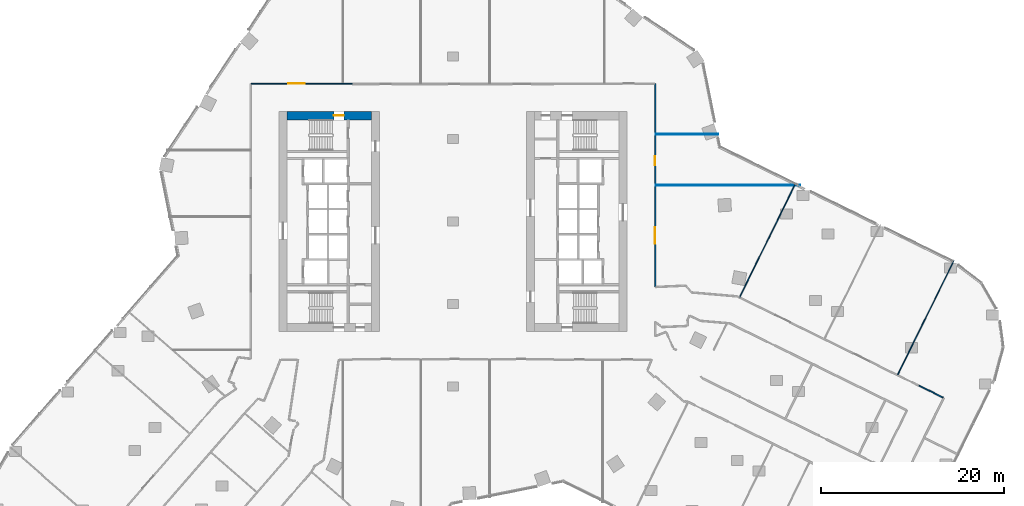
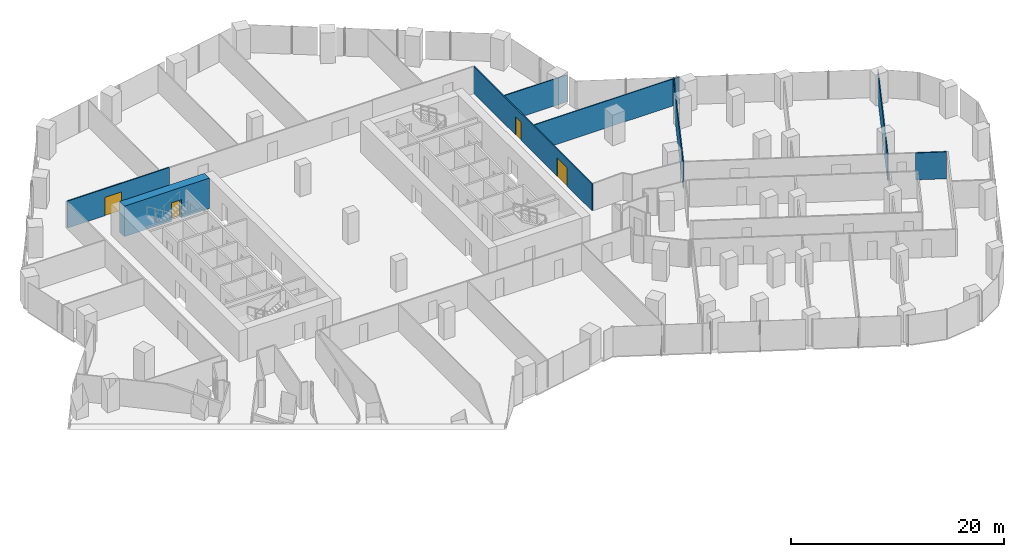
# One storey, part 31 of 38: 8 walls, 4 doors, 4 openings.
"""IFC4 building model written with IfcOpenShell, lengths in metres."""

from ifc_helpers import new_model, si_unit, direction, frame, frame_2d, origin, place, context, subcontext, project, spatial, rectangle, extrude, material, layer, layer_set, type_object, element, fill, save


model = new_model("IFC4")

# Units and contexts
model_context = context("Model", 3, precision=1e-05, world=origin(), true_north=direction((0.0, 1.0)))
body_context = subcontext(model_context, "Body", "Model", "MODEL_VIEW")
ifc_project = project(units=[si_unit("LENGTHUNIT", "METRE"), si_unit("AREAUNIT", "SQUARE_METRE"), si_unit("VOLUMEUNIT", "CUBIC_METRE"), si_unit("PLANEANGLEUNIT", "RADIAN"), si_unit("MASSUNIT", "GRAM", prefix="KILO")], contexts=[model_context])

# Site, building, storey
site_placement = place(None, origin())
site = spatial("IfcSite", under=ifc_project, at=site_placement, CompositionType="ELEMENT")
building_placement = place(site_placement, origin())
building = spatial("IfcBuilding", under=site, at=building_placement, Name="Orlundy Tower", CompositionType="ELEMENT")
storey_placement = place(building_placement, frame((0.0, 0.0, 65.800048828125)))
storey = spatial("IfcBuildingStorey", under=building, at=storey_placement, Name="L15", CompositionType="ELEMENT", Elevation=65.800048828125)

# Wall, opening, door
ifc_material_1 = material(Name="Concrete C80/95", Category="concrete")
ifc_layer_1 = layer(ifc_material_1, 0.89990234375)
ifc_layer_set_1 = layer_set([ifc_layer_1], Name="CORE WALL 900 C80/95")
wall_type_1 = type_object("IfcWallType", Name="CORE WALL 900 C80/95", PredefinedType="SHEAR", material=ifc_layer_set_1)
wall_1_placement = place(storey_placement, frame((-18.10009765625, 11.550048828125, 0.0), z_axis=(0.0, 0.0, 1.0), x_axis=(1.0, 0.0, 0.0)))
wall_1 = element("IfcWall", 1, at=wall_1_placement, inside=storey, type_object=wall_type_1, Name="Core wall W-N L15", PredefinedType="SHEAR", context=body_context, shape_type="SweptSolid", body=[
    extrude(rectangle(XDim=9.2001953125, YDim=0.89990234375, at=frame_2d((4.60009765625, 0.0))), origin(), (0.0, 0.0, 1.0), 3.5),
])
opening_1_placement = place(wall_1_placement, frame((5.10009765625, 0.0, 0.0)))
opening_1 = element("IfcOpeningElement", 2, at=opening_1_placement, cuts=wall_1, Name="Opening 13012", PredefinedType="OPENING", context=body_context, shape_type="SweptSolid", body=[
    extrude(rectangle(XDim=1.10009765625, YDim=2.10009765625, at=frame_2d((0.550048828125, 1.050048828125))), frame((0.0, 0.4599609375, 0.0), z_axis=(0.0, -1.0, 0.0), x_axis=(1.0, 0.0, 0.0)), (0.0, 0.0, 1.0), 0.919921875),
])
ifc_material_2 = material(Name="Steel door set", Category="steel")
door_type_1 = type_object("IfcDoorType", Name="Stair Door 1100x2100", OperationType="SINGLE_SWING_LEFT", PredefinedType="DOOR", material=ifc_material_2)
door_1_placement = place(opening_1_placement, origin())
door_1 = element("IfcDoor", 3, at=door_1_placement, inside=storey, type_object=door_type_1, Name="Stair door 13012", OperationType="SINGLE_SWING_RIGHT", OverallHeight=2.10009765625, OverallWidth=1.10009765625, PredefinedType="DOOR", context=body_context, shape_type="SweptSolid", body=[
    extrude(rectangle(XDim=1.10009765625, YDim=2.10009765625, at=frame_2d((0.550048828125, 1.050048828125))), frame((0.0, 0.02490234375, 0.0), z_axis=(0.0, -1.0, 0.0), x_axis=(1.0, 0.0, 0.0)), (0.0, 0.0, 1.0), 0.050048828125),
])
fill(opening_1, door_1)

# Walls
ifc_material_3 = material(Name="Gypsum board partition")
ifc_layer_2 = layer(ifc_material_3, 0.10009765625)
ifc_layer_set_2 = layer_set([ifc_layer_2], Name="Floor partition 100")
wall_type_2 = type_object("IfcWallType", Name="Floor partition 100", PredefinedType="PARTITIONING", material=ifc_layer_set_2)
wall_2_placement = place(storey_placement, frame((22.113037109375, 3.958984375, 0.0), z_axis=(0.0, 0.0, 1.0), x_axis=(1.0, 0.0, 0.0)))
element("IfcWall", 4, at=wall_2_placement, inside=storey, type_object=wall_type_2, Name="wall-int-L15-047", PredefinedType="PARTITIONING", context=body_context, shape_type="SweptSolid", body=[
    extrude(rectangle(XDim=15.7490234375, YDim=0.10009765625, at=frame_2d((7.87451171875, 0.0))), origin(), (0.0, 0.0, 1.0), 3.079833984375),
])
wall_3_placement = place(storey_placement, frame((22.113037109375, 9.5029296875, 0.0), z_axis=(0.0, 0.0, 1.0), x_axis=(1.0, 0.0, 0.0)))
element("IfcWall", 5, at=wall_3_placement, inside=storey, type_object=wall_type_2, Name="wall-int-L15-049", PredefinedType="PARTITIONING", context=body_context, shape_type="SweptSolid", body=[
    extrude(rectangle(XDim=6.833984375, YDim=0.10009765625, at=frame_2d((3.4169921875, 0.0))), origin(), (0.0, 0.0, 1.0), 3.079833984375),
])
wall_4_placement = place(storey_placement, frame((48.511962890625, -16.68994140625, 0.0), z_axis=(0.0, 0.0, 1.0), x_axis=(0.440935300802, 0.897538890804, 0.0)))
element("IfcWall", 6, at=wall_4_placement, inside=storey, type_object=wall_type_2, Name="wall-int-L15-069", PredefinedType="PARTITIONING", context=body_context, shape_type="SweptSolid", body=[
    extrude(rectangle(XDim=13.836669921875, YDim=0.10009765625, at=frame_2d((6.91845703125, 0.0))), origin(), (0.0, 0.0, 1.0), 3.079833984375),
])
wall_5_placement = place(storey_placement, frame((31.24609375, -8.27587890625, 0.0), z_axis=(0.0, 0.0, 1.0), x_axis=(0.440956509133, 0.897528471445, 0.0)))
element("IfcWall", 7, at=wall_5_placement, inside=storey, type_object=wall_type_2, Name="wall-int-L15-076", PredefinedType="PARTITIONING", context=body_context, shape_type="SweptSolid", body=[
    extrude(rectangle(XDim=13.899169921875, YDim=0.10009765625, at=frame_2d((6.94970703125, 0.0))), origin(), (0.0, 0.0, 1.0), 3.079833984375),
])
ifc_material_4 = material(Name="Gypsum board partition, double layer")
ifc_layer_3 = layer(ifc_material_4, 0.125)
ifc_layer_set_3 = layer_set([ifc_layer_3], Name="Floor partition 125")
wall_type_3 = type_object("IfcWallType", Name="Floor partition 125", PredefinedType="PARTITIONING", material=ifc_layer_set_3)
wall_6_placement = place(storey_placement, frame((53.443115234375, -19.18310546875, 0.0), z_axis=(0.0, 0.0, 1.0), x_axis=(-0.89747781702, 0.441059596832, 0.0)))
element("IfcWall", 8, at=wall_6_placement, inside=storey, type_object=wall_type_3, Name="wall-int-L15-029", PredefinedType="PARTITIONING", context=body_context, shape_type="SweptSolid", body=[
    extrude(rectangle(XDim=2.9248046875, YDim=0.125, at=frame_2d((1.46240234375, 0.0))), origin(), (0.0, 0.0, 1.0), 3.079833984375),
])

# Wall, opening, door
wall_7_placement = place(storey_placement, frame((-21.988037109375, 15.051025390625, 0.0), z_axis=(0.0, 0.0, 1.0), x_axis=(1.0, 0.0, 0.0)))
wall_7 = element("IfcWall", 9, at=wall_7_placement, inside=storey, type_object=wall_type_3, Name="wall-int-L15-051", PredefinedType="PARTITIONING", context=body_context, shape_type="SweptSolid", body=[
    extrude(rectangle(XDim=10.9970703125, YDim=0.125, at=frame_2d((5.49853515625, 0.0))), origin(), (0.0, 0.0, 1.0), 3.079833984375),
])
opening_2_placement = place(wall_7_placement, frame((4.03759765625, 0.0, 0.0)))
opening_2 = element("IfcOpeningElement", 10, at=opening_2_placement, cuts=wall_7, Name="Opening 13139", PredefinedType="OPENING", context=body_context, shape_type="SweptSolid", body=[
    extrude(rectangle(XDim=1.800048828125, YDim=2.10009765625, at=frame_2d((0.89990234375, 1.050048828125))), frame((0.0, 0.072509765625, 0.0), z_axis=(0.0, -1.0, 0.0), x_axis=(1.0, 0.0, 0.0)), (0.0, 0.0, 1.0), 0.14501953125),
])
ifc_material_5 = material(Name="Timber door leaf", Category="wood")
door_type_2 = type_object("IfcDoorType", Name="Floor door double 1800 FD30S", OperationType="NOTDEFINED", PredefinedType="DOOR", material=ifc_material_5)
door_2_placement = place(opening_2_placement, origin())
door_2 = element("IfcDoor", 11, at=door_2_placement, inside=storey, type_object=door_type_2, Name="Door 13139", OperationType="DOUBLE_DOOR_SINGLE_SWING", OverallHeight=2.10009765625, OverallWidth=1.800048828125, PredefinedType="DOOR", context=body_context, shape_type="SweptSolid", body=[
    extrude(rectangle(XDim=1.800048828125, YDim=2.10009765625, at=frame_2d((0.89990234375, 1.050048828125))), frame((0.0, 0.02490234375, 0.0), z_axis=(0.0, -1.0, 0.0), x_axis=(1.0, 0.0, 0.0)), (0.0, 0.0, 1.0), 0.050048828125),
])
fill(opening_2, door_2)

# Wall, openings, doors
wall_8_placement = place(storey_placement, frame((22.051025390625, 15.050048828125, 0.0), z_axis=(0.0, 0.0, 1.0), x_axis=(0.0, -1.0, 0.0)))
wall_8 = element("IfcWall", 12, at=wall_8_placement, inside=storey, type_object=wall_type_3, Name="wall-int-L15-087", PredefinedType="PARTITIONING", context=body_context, shape_type="SweptSolid", body=[
    extrude(rectangle(XDim=22.18115234375, YDim=0.125, at=frame_2d((11.090576171875, 0.0))), origin(), (0.0, 0.0, 1.0), 3.079833984375),
])
opening_3_placement = place(wall_8_placement, frame((15.69091796875, 0.0, 0.0)))
opening_3 = element("IfcOpeningElement", 13, at=opening_3_placement, cuts=wall_8, Name="Opening 13133", PredefinedType="OPENING", context=body_context, shape_type="SweptSolid", body=[
    extrude(rectangle(XDim=1.800048828125, YDim=2.10009765625, at=frame_2d((0.89990234375, 1.050048828125))), frame((0.0, 0.072509765625, 0.0), z_axis=(0.0, -1.0, 0.0), x_axis=(1.0, 0.0, 0.0)), (0.0, 0.0, 1.0), 0.14501953125),
])
opening_4_placement = place(wall_8_placement, frame((7.89697265625, 0.0, 0.0)))
opening_4 = element("IfcOpeningElement", 14, at=opening_4_placement, cuts=wall_8, Name="Opening 13134", PredefinedType="OPENING", context=body_context, shape_type="SweptSolid", body=[
    extrude(rectangle(XDim=1.0, YDim=2.10009765625, at=frame_2d((0.5, 1.050048828125))), frame((0.0, 0.072509765625, 0.0), z_axis=(0.0, -1.0, 0.0), x_axis=(1.0, 0.0, 0.0)), (0.0, 0.0, 1.0), 0.14501953125),
])
door_3_placement = place(opening_3_placement, origin())
door_3 = element("IfcDoor", 15, at=door_3_placement, inside=storey, type_object=door_type_2, Name="Door 13133", OperationType="DOUBLE_DOOR_SINGLE_SWING", OverallHeight=2.10009765625, OverallWidth=1.800048828125, PredefinedType="DOOR", context=body_context, shape_type="SweptSolid", body=[
    extrude(rectangle(XDim=1.800048828125, YDim=2.10009765625, at=frame_2d((0.89990234375, 1.050048828125))), frame((0.0, 0.02490234375, 0.0), z_axis=(0.0, -1.0, 0.0), x_axis=(1.0, 0.0, 0.0)), (0.0, 0.0, 1.0), 0.050048828125),
])
fill(opening_3, door_3)
ifc_material_6 = material(Name="Timber door leaf", Category="wood")
door_type_3 = type_object("IfcDoorType", Name="Floor door wide 1000 FD30S", OperationType="NOTDEFINED", PredefinedType="DOOR", material=ifc_material_6)
door_4_placement = place(opening_4_placement, origin())
door_4 = element("IfcDoor", 16, at=door_4_placement, inside=storey, type_object=door_type_3, Name="Door 13134", OperationType="SINGLE_SWING_LEFT", OverallHeight=2.10009765625, OverallWidth=1.0, PredefinedType="DOOR", context=body_context, shape_type="SweptSolid", body=[
    extrude(rectangle(XDim=1.0, YDim=2.10009765625, at=frame_2d((0.5, 1.050048828125))), frame((0.0, 0.02490234375, 0.0), z_axis=(0.0, -1.0, 0.0), x_axis=(1.0, 0.0, 0.0)), (0.0, 0.0, 1.0), 0.050048828125),
])
fill(opening_4, door_4)

save(model, "model.ifc")
